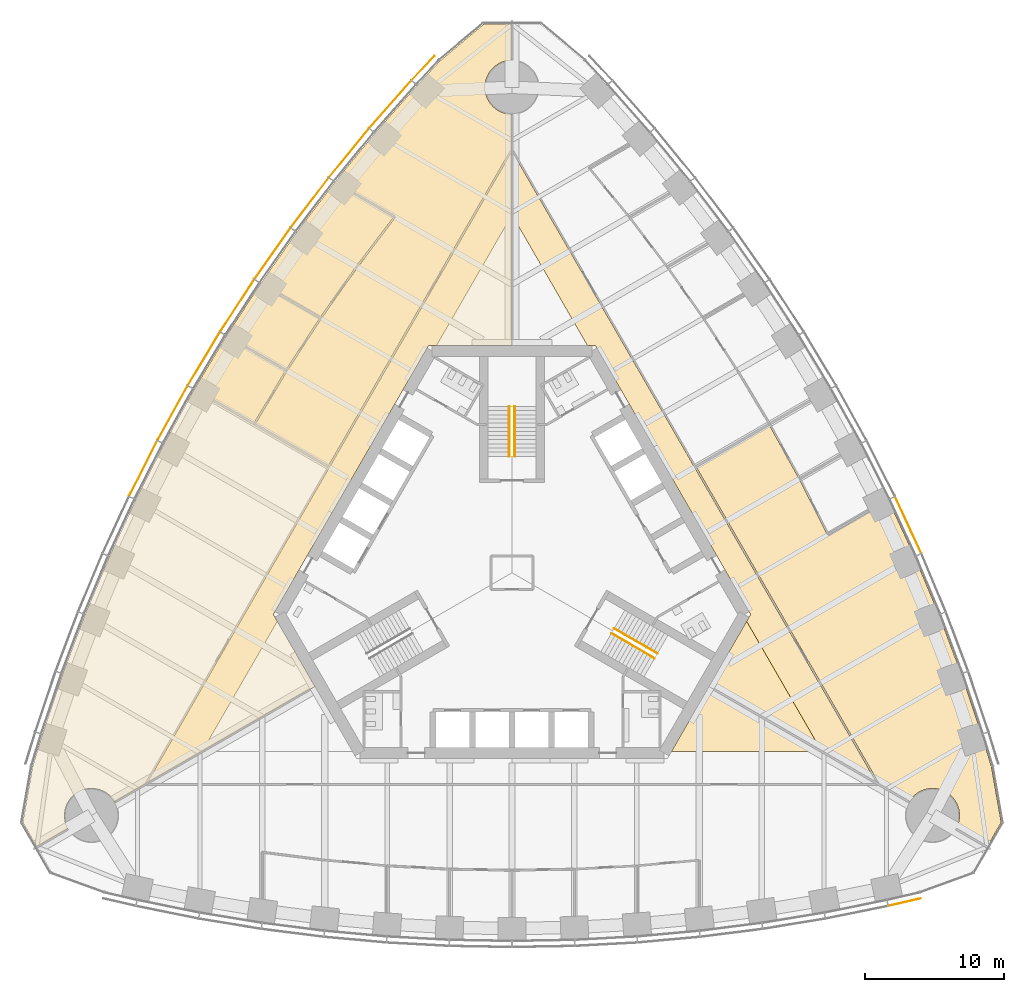
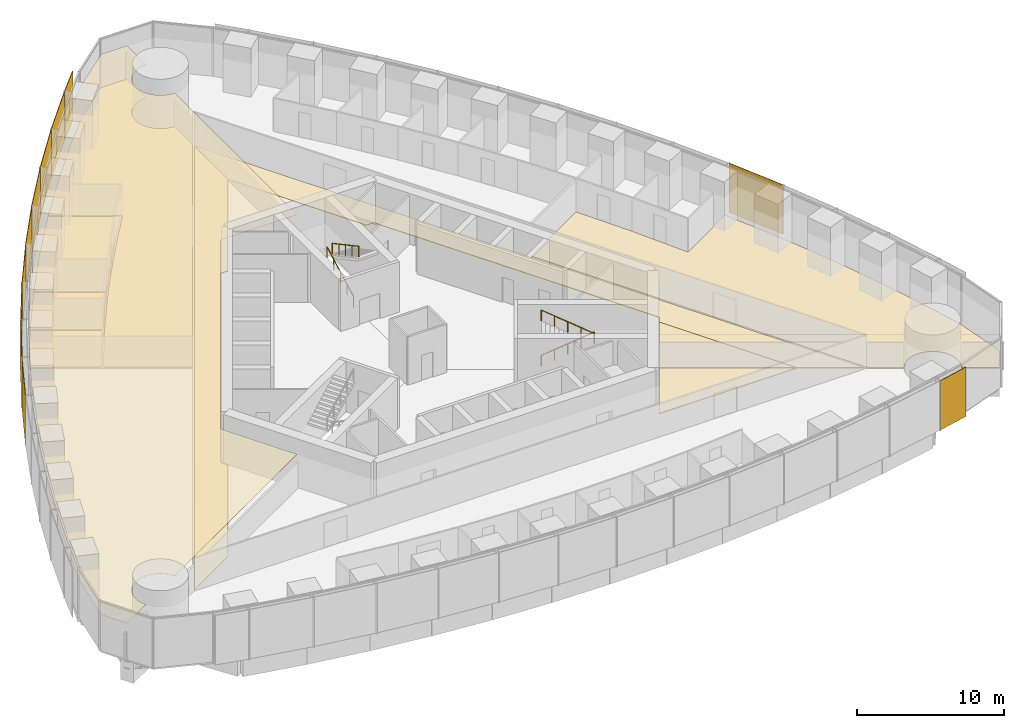
# One storey, part 16 of 19: 11 shading devices, 10 coverings, 4 railings.
"""IFC4 building model written with IfcOpenShell, lengths in metres."""

from ifc_helpers import new_model, si_unit, direction, frame, origin, origin_2d, place, context, subcontext, project, spatial, polyline, rectangle, circle, outline, extrude, material, layer, layer_set, type_object, element, save


model = new_model("IFC4")

# Units and contexts
model_context = context("Model", 3, precision=1e-05, world=origin(), true_north=direction((0.0, 1.0)))
body_context = subcontext(model_context, "Body", "Model", "MODEL_VIEW")
ifc_project = project(units=[si_unit("LENGTHUNIT", "METRE"), si_unit("AREAUNIT", "SQUARE_METRE"), si_unit("VOLUMEUNIT", "CUBIC_METRE"), si_unit("PLANEANGLEUNIT", "RADIAN"), si_unit("MASSUNIT", "GRAM", prefix="KILO")], contexts=[model_context])

# Site, building, storey
site_placement = place(None, origin())
site = spatial("IfcSite", under=ifc_project, at=site_placement, CompositionType="ELEMENT")
building_placement = place(site_placement, origin())
building = spatial("IfcBuilding", under=site, at=building_placement, Name="Trefoil Bronze Tower", CompositionType="ELEMENT")
storey_placement = place(building_placement, frame((0.0, 0.0, 166.10009765625)))
storey = spatial("IfcBuildingStorey", under=building, at=storey_placement, Name="L38", CompositionType="ELEMENT", Elevation=166.10009765625)

# Shading devices
ifc_material_1 = material(Name="Perforated bronze sheet", Category="bronze")
ifc_layer_1 = layer(ifc_material_1, 0.0400390625)
ifc_layer_set_1 = layer_set([ifc_layer_1], Name="Bronze solar screen panel")
shading_device_type = type_object("IfcShadingDeviceType", Name="Bronze solar screen panel", PredefinedType="SHUTTER", material=ifc_layer_set_1)
shading_device_1_placement = place(storey_placement, frame((28.30078125, -23.748779296875, 0.0498046875), z_axis=(0.0, 0.0, 1.0), x_axis=(0.97420444715, 0.225667222151, 0.0)))
element("IfcShadingDevice", 1, at=shading_device_1_placement, inside=storey, type_object=shading_device_type, Name="Solar screen CW-A L38 F1 bay 14", PredefinedType="SHUTTER", context=body_context, shape_type="SweptSolid", body=[
    extrude(rectangle(XDim=2.39013671875, YDim=0.0400390625, at=origin_2d()), origin(), (0.0, 0.0, 1.0), 4.10009765625),
])
shading_device_2_placement = place(storey_placement, frame((28.563720703125, 3.444580078125, 0.0498046875), z_axis=(0.0, 0.0, 1.0), x_axis=(-0.419932995871, 0.907555110712, 0.0)))
element("IfcShadingDevice", 2, at=shading_device_2_placement, inside=storey, type_object=shading_device_type, Name="Solar screen CW-A L38 F2 bay 5", PredefinedType="SHUTTER", context=body_context, shape_type="SweptSolid", body=[
    extrude(rectangle(XDim=4.48828125, YDim=0.0400390625, at=origin_2d()), origin(), (0.0, 0.0, 1.0), 4.10009765625),
])
shading_device_3_placement = place(storey_placement, frame((-6.416748046875, 36.383544921875, 0.0498046875), z_axis=(0.0, 0.0, 1.0), x_axis=(-0.682535770759, -0.730852188636, 0.0)))
element("IfcShadingDevice", 3, at=shading_device_3_placement, inside=storey, type_object=shading_device_type, Name="Solar screen CW-A L38 F3 bay 1", PredefinedType="SHUTTER", context=body_context, shape_type="SweptSolid", body=[
    extrude(rectangle(XDim=2.39013671875, YDim=0.0400390625, at=origin_2d()), origin(), (0.0, 0.0, 1.0), 4.10009765625),
])
shading_device_4_placement = place(storey_placement, frame((-8.77197265625, 33.766845703125, 0.0498046875), z_axis=(0.0, 0.0, 1.0), x_axis=(-0.661751405978, -0.749723333428, 0.0)))
element("IfcShadingDevice", 4, at=shading_device_4_placement, inside=storey, type_object=shading_device_type, Name="Solar screen CW-A L38 F3 bay 2", PredefinedType="SHUTTER", context=body_context, shape_type="SweptSolid", body=[
    extrude(rectangle(XDim=4.56103515625, YDim=0.0400390625, at=origin_2d()), origin(), (0.0, 0.0, 1.0), 4.10009765625),
])
shading_device_5_placement = place(storey_placement, frame((-11.7490234375, 30.26708984375, 0.0498046875), z_axis=(0.0, 0.0, 1.0), x_axis=(-0.633839916024, -0.773464259584, 0.0)))
element("IfcShadingDevice", 5, at=shading_device_5_placement, inside=storey, type_object=shading_device_type, Name="Solar screen CW-A L38 F3 bay 3", PredefinedType="SHUTTER", context=body_context, shape_type="SweptSolid", body=[
    extrude(rectangle(XDim=4.5302734375, YDim=0.0400390625, at=origin_2d()), origin(), (0.0, 0.0, 1.0), 4.10009765625),
])
shading_device_6_placement = place(storey_placement, frame((-14.579345703125, 26.6826171875, 0.0498046875), z_axis=(0.0, 0.0, 1.0), x_axis=(-0.605252319983, -0.796033685943, 0.0)))
element("IfcShadingDevice", 6, at=shading_device_6_placement, inside=storey, type_object=shading_device_type, Name="Solar screen CW-A L38 F3 bay 4", PredefinedType="SHUTTER", context=body_context, shape_type="SweptSolid", body=[
    extrude(rectangle(XDim=4.50634765625, YDim=0.0400390625, at=origin_2d()), origin(), (0.0, 0.0, 1.0), 4.10009765625),
])
shading_device_7_placement = place(storey_placement, frame((-17.264892578125, 23.014404296875, 0.0498046875), z_axis=(0.0, 0.0, 1.0), x_axis=(-0.575999283275, -0.817450197667, 0.0)))
element("IfcShadingDevice", 7, at=shading_device_7_placement, inside=storey, type_object=shading_device_type, Name="Solar screen CW-A L38 F3 bay 5", PredefinedType="SHUTTER", context=body_context, shape_type="SweptSolid", body=[
    extrude(rectangle(XDim=4.48828125, YDim=0.0400390625, at=origin_2d()), origin(), (0.0, 0.0, 1.0), 4.10009765625),
])
shading_device_8_placement = place(storey_placement, frame((-19.8076171875, 19.263916015625, 0.0498046875), z_axis=(0.0, 0.0, 1.0), x_axis=(-0.546088612237, -0.837727418427, 0.0)))
element("IfcShadingDevice", 8, at=shading_device_8_placement, inside=storey, type_object=shading_device_type, Name="Solar screen CW-A L38 F3 bay 6", PredefinedType="SHUTTER", context=body_context, shape_type="SweptSolid", body=[
    extrude(rectangle(XDim=4.4765625, YDim=0.0400390625, at=origin_2d()), origin(), (0.0, 0.0, 1.0), 4.10009765625),
])
for number, where, z_axis, x_axis, name in (
    (9, (-22.208740234375, 15.431396484375, 0.0498046875), (0.0, 0.0, 1.0), (-0.515525413486, -0.856874289526, 0.0), "Solar screen CW-A L38 F3 bay 7"),
    (10, (-24.468505859375, 11.517578125, 0.0498046875), (0.0, 0.0, 1.0), (-0.484312195836, -0.874895249138, 0.0), "Solar screen CW-A L38 F3 bay 8"),
):
    element("IfcShadingDevice", number, at=place(storey_placement, frame(where, z_axis=z_axis, x_axis=x_axis)), inside=storey, type_object=shading_device_type, Name=name, PredefinedType="SHUTTER", context=body_context, shape_type="SweptSolid", body=[
        extrude(rectangle(XDim=4.470703125, YDim=0.0400390625, at=origin_2d()), origin(), (0.0, 0.0, 1.0), 4.10009765625),
    ])
shading_device_9_placement = place(storey_placement, frame((-26.5869140625, 7.52197265625, 0.0498046875), z_axis=(0.0, 0.0, 1.0), x_axis=(-0.452448919686, -0.891790320128, 0.0)))
element("IfcShadingDevice", 11, at=shading_device_9_placement, inside=storey, type_object=shading_device_type, Name="Solar screen CW-A L38 F3 bay 9", PredefinedType="SHUTTER", context=body_context, shape_type="SweptSolid", body=[
    extrude(rectangle(XDim=4.4765625, YDim=0.0400390625, at=origin_2d()), origin(), (0.0, 0.0, 1.0), 4.10009765625),
])

# Railings
ifc_material_2 = material(Name="Steel handrail", Category="steel")
railing_type = type_object("IfcRailingType", Name="Handrail 900", PredefinedType="HANDRAIL", material=ifc_material_2)
railing_1_placement = place(storey_placement, frame((7.365966796875, -4.021728515625, 0.161376953125)))
element("IfcRailing", 12, at=railing_1_placement, inside=storey, type_object=railing_type, Name="Handrail ST1 flight 1 L38", PredefinedType="HANDRAIL", context=body_context, shape_type="SweptSolid", body=[
    extrude(circle(Radius=0.02392578125, at=origin_2d()), frame((0.0, 0.0, 0.8759765625), z_axis=(0.76250339821, -0.440245697338, 0.474101564745), x_axis=(0.500012057535, 0.866018442252, 0.0)), (0.0, 0.0, 1.0), 4.088623046875),
    extrude(circle(Radius=0.02099609375, at=origin_2d()), origin(), (0.0, 0.0, 1.0), 0.851806640625),
    extrude(circle(Radius=0.02099609375, at=origin_2d()), frame((0.779296875, -0.449951171875, 0.484619140625)), (0.0, 0.0, 1.0), 0.851806640625),
    extrude(circle(Radius=0.02099609375, at=origin_2d()), frame((1.558837890625, -0.89990234375, 0.96923828125)), (0.0, 0.0, 1.0), 0.851806640625),
    extrude(circle(Radius=0.02099609375, at=origin_2d()), frame((2.33837890625, -1.35009765625, 1.453857421875)), (0.0, 0.0, 1.0), 0.851806640625),
    extrude(circle(Radius=0.02099609375, at=origin_2d()), frame((3.11767578125, -1.800048828125, 1.9384765625)), (0.0, 0.0, 1.0), 0.851806640625),
])
railing_2_placement = place(storey_placement, frame((10.28369140625, -6.168212890625, 2.261474609375)))
element("IfcRailing", 13, at=railing_2_placement, inside=storey, type_object=railing_type, Name="Handrail ST1 flight 2 L38", PredefinedType="HANDRAIL", context=body_context, shape_type="SweptSolid", body=[
    extrude(circle(Radius=0.02392578125, at=origin_2d()), frame((0.0, 0.0, 0.8759765625), z_axis=(-0.76250339821, 0.440245697338, 0.474101564745), x_axis=(-0.500012057535, -0.866018442252, 0.0)), (0.0, 0.0, 1.0), 4.088623046875),
    extrude(circle(Radius=0.02099609375, at=origin_2d()), origin(), (0.0, 0.0, 1.0), 0.851806640625),
    extrude(circle(Radius=0.02099609375, at=origin_2d()), frame((-0.779296875, 0.449951171875, 0.484619140625)), (0.0, 0.0, 1.0), 0.851806640625),
    extrude(circle(Radius=0.02099609375, at=origin_2d()), frame((-1.558837890625, 0.89990234375, 0.96923828125)), (0.0, 0.0, 1.0), 0.851806640625),
    extrude(circle(Radius=0.02099609375, at=origin_2d()), frame((-2.33837890625, 1.35009765625, 1.453857421875)), (0.0, 0.0, 1.0), 0.851806640625),
    extrude(circle(Radius=0.02099609375, at=origin_2d()), frame((-3.11767578125, 1.800048828125, 1.9384765625)), (0.0, 0.0, 1.0), 0.851806640625),
])
railing_3_placement = place(storey_placement, frame((-0.199951171875, 8.389892578125, 0.161376953125)))
element("IfcRailing", 14, at=railing_3_placement, inside=storey, type_object=railing_type, Name="Handrail ST2 flight 1 L38", PredefinedType="HANDRAIL", context=body_context, shape_type="SweptSolid", body=[
    extrude(circle(Radius=0.02392578125, at=origin_2d()), frame((0.0, 0.0, 0.8759765625), z_axis=(0.0, 0.880474934443, 0.474092701714), x_axis=(-1.0, 0.0, 0.0)), (0.0, 0.0, 1.0), 4.0888671875),
    extrude(circle(Radius=0.02099609375, at=origin_2d()), origin(), (0.0, 0.0, 1.0), 0.851806640625),
    extrude(circle(Radius=0.02099609375, at=origin_2d()), frame((0.0, 0.89990234375, 0.484619140625)), (0.0, 0.0, 1.0), 0.851806640625),
    extrude(circle(Radius=0.02099609375, at=origin_2d()), frame((0.0, 1.800048828125, 0.96923828125)), (0.0, 0.0, 1.0), 0.851806640625),
    extrude(circle(Radius=0.02099609375, at=origin_2d()), frame((0.0, 2.7001953125, 1.453857421875)), (0.0, 0.0, 1.0), 0.851806640625),
    extrude(circle(Radius=0.02099609375, at=origin_2d()), frame((0.0, 3.60009765625, 1.9384765625)), (0.0, 0.0, 1.0), 0.851806640625),
])
railing_4_placement = place(storey_placement, frame((0.199951171875, 11.989990234375, 2.261474609375)))
element("IfcRailing", 15, at=railing_4_placement, inside=storey, type_object=railing_type, Name="Handrail ST2 flight 2 L38", PredefinedType="HANDRAIL", context=body_context, shape_type="SweptSolid", body=[
    extrude(circle(Radius=0.02392578125, at=origin_2d()), frame((0.0, 0.0, 0.8759765625), z_axis=(0.0, -0.880474934443, 0.474092701714), x_axis=(1.0, 0.0, 0.0)), (0.0, 0.0, 1.0), 4.0888671875),
    extrude(circle(Radius=0.02099609375, at=origin_2d()), origin(), (0.0, 0.0, 1.0), 0.851806640625),
    extrude(circle(Radius=0.02099609375, at=origin_2d()), frame((0.0, -0.89990234375, 0.484619140625)), (0.0, 0.0, 1.0), 0.851806640625),
    extrude(circle(Radius=0.02099609375, at=origin_2d()), frame((0.0, -1.800048828125, 0.96923828125)), (0.0, 0.0, 1.0), 0.851806640625),
    extrude(circle(Radius=0.02099609375, at=origin_2d()), frame((0.0, -2.7001953125, 1.453857421875)), (0.0, 0.0, 1.0), 0.851806640625),
    extrude(circle(Radius=0.02099609375, at=origin_2d()), frame((0.0, -3.60009765625, 1.9384765625)), (0.0, 0.0, 1.0), 0.851806640625),
])

# Coverings
ifc_material_3 = material(Name="Acoustic ceiling panels", Category="mineral fibre")
ifc_layer_2 = layer(ifc_material_3, 0.02001953125)
ifc_layer_set_2 = layer_set([ifc_layer_2], Name="Office ceiling 20")
covering_type_1 = type_object("IfcCoveringType", Name="Office ceiling 20", PredefinedType="CEILING", material=ifc_layer_set_2)
covering_1_placement = place(storey_placement, frame((0.0, 0.0, 2.89990234375)))
element("IfcCovering", 16, at=covering_1_placement, inside=storey, type_object=covering_type_1, Name="Ceiling L38 Open-plan office F3", PredefinedType="CEILING", context=body_context, shape_type="SweptSolid", body=[
    extrude(outline(polyline([(-33.847900390625, -11.634765625), (-32.385986328125, -7.28271484375), (-30.776611328125, -3.015625), (-29.022216796875, 1.16748046875), (-27.124755859375, 5.268310546875), (-25.085693359375, 9.287109375), (-22.906005859375, 13.224853515625), (-20.585693359375, 17.081298828125), (-18.124755859375, 20.856689453125), (-15.522216796875, 24.55029296875), (-12.776611328125, 28.1611328125), (-9.885986328125, 31.6884765625), (-6.847900390625, 35.130615234375), (-5.1962890625, 36.8994140625), (-2.052001953125, 39.53759765625), (-0.014892578125, 39.53759765625), (-0.013916015625, 36.94970703125), (-0.095703125, 36.94775390625), (-0.191162109375, 36.940673828125), (-0.2861328125, 36.928955078125), (-0.38037109375, 36.91259765625), (-0.473876953125, 36.8916015625), (-0.566162109375, 36.865966796875), (-0.656982421875, 36.8359375), (-0.74609375, 36.801513671875), (-0.833740234375, 36.7626953125), (-0.919189453125, 36.7197265625), (-1.00244140625, 36.672607421875), (-1.08349609375, 36.621337890625), (-1.16162109375, 36.56640625), (-1.237060546875, 36.50732421875), (-1.3095703125, 36.44482421875), (-1.37890625, 36.37890625), (-1.44482421875, 36.3095703125), (-1.50732421875, 36.237060546875), (-1.56640625, 36.16162109375), (-1.621337890625, 36.08349609375), (-1.672607421875, 36.00244140625), (-1.7197265625, 35.919189453125), (-1.7626953125, 35.833740234375), (-1.801513671875, 35.74609375), (-1.8359375, 35.656982421875), (-1.865966796875, 35.566162109375), (-1.8916015625, 35.473876953125), (-1.91259765625, 35.38037109375), (-1.928955078125, 35.2861328125), (-1.940673828125, 35.191162109375), (-1.94775390625, 35.095703125), (-1.949951171875, 35.0), (-1.94775390625, 34.904296875), (-1.940673828125, 34.808837890625), (-1.928955078125, 34.7138671875), (-1.91259765625, 34.61962890625), (-1.8916015625, 34.526123046875), (-1.865966796875, 34.433837890625), (-1.8359375, 34.343017578125), (-1.801513671875, 34.25390625), (-1.7626953125, 34.166259765625), (-1.7197265625, 34.080810546875), (-1.672607421875, 33.99755859375), (-1.621337890625, 33.91650390625), (-1.56640625, 33.83837890625), (-1.50732421875, 33.762939453125), (-1.44482421875, 33.6904296875), (-1.37890625, 33.62109375), (-1.3095703125, 33.55517578125), (-1.237060546875, 33.49267578125), (-1.16162109375, 33.43359375), (-1.08349609375, 33.378662109375), (-1.00244140625, 33.327392578125), (-0.919189453125, 33.2802734375), (-0.833740234375, 33.2373046875), (-0.74609375, 33.198486328125), (-0.656982421875, 33.1640625), (-0.566162109375, 33.134033203125), (-0.473876953125, 33.1083984375), (-0.38037109375, 33.08740234375), (-0.2861328125, 33.071044921875), (-0.191162109375, 33.059326171875), (-0.095703125, 33.05224609375), (-0.012451171875, 33.05029296875), (-0.006103515625, 16.39990234375), (-6.00439453125, 16.39990234375), (-17.205078125, -3.0), (-14.205810546875, -8.194580078125), (-28.628662109375, -16.514404296875), (-28.689453125, -16.41650390625), (-28.74462890625, -16.33837890625), (-28.803466796875, -16.262939453125), (-28.865966796875, -16.1904296875), (-28.931884765625, -16.12109375), (-29.001220703125, -16.05517578125), (-29.07373046875, -15.99267578125), (-29.1494140625, -15.93359375), (-29.2275390625, -15.878662109375), (-29.308349609375, -15.827392578125), (-29.3916015625, -15.7802734375), (-29.477294921875, -15.7373046875), (-29.564697265625, -15.698486328125), (-29.654052734375, -15.6640625), (-29.744873046875, -15.634033203125), (-29.837158203125, -15.6083984375), (-29.930419921875, -15.58740234375), (-30.02490234375, -15.571044921875), (-30.119873046875, -15.559326171875), (-30.215087890625, -15.55224609375), (-30.310791015625, -15.550048828125), (-30.406494140625, -15.55224609375), (-30.501953125, -15.559326171875), (-30.596923828125, -15.571044921875), (-30.69140625, -15.58740234375), (-30.78466796875, -15.6083984375), (-30.876953125, -15.634033203125), (-30.9677734375, -15.6640625), (-31.05712890625, -15.698486328125), (-31.14453125, -15.7373046875), (-31.22998046875, -15.7802734375), (-31.3134765625, -15.827392578125), (-31.394287109375, -15.878662109375), (-31.472412109375, -15.93359375), (-31.548095703125, -15.99267578125), (-31.620361328125, -16.05517578125), (-31.689697265625, -16.12109375), (-31.755615234375, -16.1904296875), (-31.818359375, -16.262939453125), (-31.877197265625, -16.33837890625), (-31.932373046875, -16.41650390625), (-31.9833984375, -16.49755859375), (-32.030517578125, -16.580810546875), (-32.07373046875, -16.666259765625), (-32.112548828125, -16.75390625), (-32.14697265625, -16.843017578125), (-32.177001953125, -16.933837890625), (-32.202392578125, -17.026123046875), (-32.223388671875, -17.11962890625), (-32.23974609375, -17.2138671875), (-32.25146484375, -17.308837890625), (-32.258544921875, -17.404296875), (-32.260986328125, -17.5), (-32.258544921875, -17.595703125), (-32.25146484375, -17.691162109375), (-32.23974609375, -17.7861328125), (-32.223388671875, -17.88037109375), (-32.202392578125, -17.973876953125), (-32.177001953125, -18.066162109375), (-32.14697265625, -18.156982421875), (-32.112548828125, -18.24609375), (-32.07373046875, -18.333740234375), (-32.030517578125, -18.419189453125), (-32.006103515625, -18.462646484375), (-34.247802734375, -19.755859375), (-35.2666015625, -17.99169921875), (-34.5537109375, -13.94970703125), (-33.847900390625, -11.634765625)])), origin(), (0.0, 0.0, 1.0), 0.02001953125),
])
ifc_material_4 = material(Name="Raised access floor panels", Category="steel")
ifc_layer_3 = layer(ifc_material_4, 0.050048828125)
ifc_layer_set_3 = layer_set([ifc_layer_3], Name="Raised access floor 150")
covering_type_2 = type_object("IfcCoveringType", Name="Raised access floor 150", PredefinedType="FLOORING", material=ifc_layer_set_3)
covering_2_placement = place(storey_placement, frame((0.0, 0.0, 0.099853515625)))
element("IfcCovering", 17, at=covering_2_placement, inside=storey, type_object=covering_type_2, Name="Raised floor L38 Open-plan office F1", PredefinedType="FLOORING", context=body_context, shape_type="SweptSolid", body=[
    extrude(outline(polyline([(14.19970703125, -8.205322265625), (22.32421875, -12.89990234375), (11.4892578125, -12.89990234375), (14.19970703125, -8.205322265625)])), origin(), (0.0, 0.0, 1.0), 0.050048828125),
])
covering_3_placement = place(storey_placement, frame((0.0, 0.0, 0.099853515625)))
element("IfcCovering", 18, at=covering_3_placement, inside=storey, type_object=covering_type_2, Name="Raised floor L38 Corridor F2", PredefinedType="FLOORING", context=body_context, shape_type="SweptSolid", body=[
    extrude(outline(polyline([(26.31591796875, -15.180419921875), (22.333740234375, -12.88330078125), (16.91650390625, -3.5), (17.205078125, -3.0), (6.00439453125, 16.39990234375), (5.427001953125, 16.39990234375), (0.009765625, 25.783203125), (0.011474609375, 30.38037109375), (26.31591796875, -15.180419921875)])), origin(), (0.0, 0.0, 1.0), 0.050048828125),
])
covering_4_placement = place(storey_placement, frame((0.0, 0.0, 0.099853515625)))
element("IfcCovering", 19, at=covering_4_placement, inside=storey, type_object=covering_type_2, Name="Raised floor L38 Open-plan office F2", PredefinedType="FLOORING", context=body_context, shape_type="SweptSolid", body=[
    extrude(outline(polyline([(14.205810546875, -8.194580078125), (16.91650390625, -3.5), (22.333740234375, -12.88330078125), (14.205810546875, -8.194580078125)])), origin(), (0.0, 0.0, 1.0), 0.050048828125),
])
covering_5_placement = place(storey_placement, frame((0.0, 0.0, 0.099853515625)))
element("IfcCovering", 20, at=covering_5_placement, inside=storey, type_object=covering_type_2, Name="Raised floor L38 Open-plan office F2", PredefinedType="FLOORING", context=body_context, shape_type="SweptSolid", body=[
    extrude(outline(polyline([(26.40966796875, -15.234375), (26.466552734375, -15.201416015625), (13.304931640625, 7.594970703125), (18.560302734375, 10.629150390625), (20.70263671875, 6.759033203125), (22.7412109375, 2.7412109375), (22.794677734375, 2.768310546875), (22.82470703125, 2.71630859375), (25.739501953125, 4.399169921875), (25.709716796875, 4.451171875), (27.124755859375, 5.268310546875), (29.022216796875, 1.16748046875), (30.776611328125, -3.015625), (32.385986328125, -7.28271484375), (33.847900390625, -11.634765625), (34.5537109375, -13.94970703125), (35.2666015625, -17.99169921875), (34.247802734375, -19.755859375), (32.006103515625, -18.462646484375), (32.030517578125, -18.419189453125), (32.07373046875, -18.333740234375), (32.112548828125, -18.24609375), (32.14697265625, -18.156982421875), (32.177001953125, -18.066162109375), (32.202392578125, -17.973876953125), (32.223388671875, -17.88037109375), (32.23974609375, -17.7861328125), (32.25146484375, -17.691162109375), (32.258544921875, -17.595703125), (32.260986328125, -17.5), (32.258544921875, -17.404296875), (32.25146484375, -17.308837890625), (32.23974609375, -17.2138671875), (32.223388671875, -17.11962890625), (32.202392578125, -17.026123046875), (32.177001953125, -16.933837890625), (32.14697265625, -16.843017578125), (32.112548828125, -16.75390625), (32.07373046875, -16.666259765625), (32.030517578125, -16.580810546875), (31.9833984375, -16.49755859375), (31.932373046875, -16.41650390625), (31.877197265625, -16.33837890625), (31.818359375, -16.262939453125), (31.755615234375, -16.1904296875), (31.689697265625, -16.12109375), (31.620361328125, -16.05517578125), (31.548095703125, -15.99267578125), (31.472412109375, -15.93359375), (31.394287109375, -15.878662109375), (31.3134765625, -15.827392578125), (31.22998046875, -15.7802734375), (31.14453125, -15.7373046875), (31.05712890625, -15.698486328125), (30.9677734375, -15.6640625), (30.876953125, -15.634033203125), (30.78466796875, -15.6083984375), (30.69140625, -15.58740234375), (30.596923828125, -15.571044921875), (30.501953125, -15.559326171875), (30.406494140625, -15.55224609375), (30.310791015625, -15.550048828125), (30.215087890625, -15.55224609375), (30.119873046875, -15.559326171875), (30.02490234375, -15.571044921875), (29.930419921875, -15.58740234375), (29.837158203125, -15.6083984375), (29.744873046875, -15.634033203125), (29.654052734375, -15.6640625), (29.564697265625, -15.698486328125), (29.477294921875, -15.7373046875), (29.3916015625, -15.7802734375), (29.308349609375, -15.827392578125), (29.2275390625, -15.878662109375), (29.1494140625, -15.93359375), (29.07373046875, -15.99267578125), (29.001220703125, -16.05517578125), (28.931884765625, -16.12109375), (28.865966796875, -16.1904296875), (28.803466796875, -16.262939453125), (28.74462890625, -16.33837890625), (28.689453125, -16.41650390625), (28.628662109375, -16.514404296875), (26.40966796875, -15.234375)])), origin(), (0.0, 0.0, 1.0), 0.050048828125),
])
covering_6_placement = place(storey_placement, frame((0.0, 0.0, 0.099853515625)))
element("IfcCovering", 21, at=covering_6_placement, inside=storey, type_object=covering_type_2, Name="Raised floor L38 Library F3", PredefinedType="FLOORING", context=body_context, shape_type="SweptSolid", body=[
    extrude(outline(polyline([(-15.522216796875, 24.55029296875), (-12.776611328125, 28.1611328125), (-11.350341796875, 27.337646484375), (-11.38037109375, 27.28564453125), (-8.53564453125, 25.643310546875), (-11.239990234375, 22.086669921875), (-11.192138671875, 22.05029296875), (-11.2412109375, 22.084716796875), (-13.812255859375, 18.43603515625), (-16.6796875, 20.091552734375), (-16.709716796875, 20.03955078125), (-18.124755859375, 20.856689453125), (-15.522216796875, 24.55029296875)])), origin(), (0.0, 0.0, 1.0), 0.050048828125),
])
covering_7_placement = place(storey_placement, frame((0.0, 0.0, 0.099853515625)))
element("IfcCovering", 22, at=covering_7_placement, inside=storey, type_object=covering_type_2, Name="Raised floor L38 Meeting room F3", PredefinedType="FLOORING", context=body_context, shape_type="SweptSolid", body=[
    extrude(outline(polyline([(-18.124755859375, 20.856689453125), (-16.709716796875, 20.03955078125), (-16.739501953125, 19.987548828125), (-13.879638671875, 18.33642578125), (-16.27490234375, 14.661865234375), (-19.143310546875, 16.31787109375), (-19.17333984375, 16.265869140625), (-20.585693359375, 17.081298828125), (-18.124755859375, 20.856689453125)])), origin(), (0.0, 0.0, 1.0), 0.050048828125),
])
covering_8_placement = place(storey_placement, frame((0.0, 0.0, 0.099853515625)))
element("IfcCovering", 23, at=covering_8_placement, inside=storey, type_object=covering_type_2, Name="Raised floor L38 Meeting room F3", PredefinedType="FLOORING", context=body_context, shape_type="SweptSolid", body=[
    extrude(outline(polyline([(-22.906005859375, 13.224853515625), (-20.585693359375, 17.081298828125), (-19.17333984375, 16.265869140625), (-19.203369140625, 16.2138671875), (-16.338623046875, 14.56005859375), (-18.58935546875, 10.819091796875), (-21.45703125, 12.474853515625), (-21.494384765625, 12.409912109375), (-22.906005859375, 13.224853515625)])), origin(), (0.0, 0.0, 1.0), 0.050048828125),
])
covering_9_placement = place(storey_placement, frame((0.0, 0.0, 0.099853515625)))
element("IfcCovering", 24, at=covering_9_placement, inside=storey, type_object=covering_type_2, Name="Raised floor L38 Corridor F3", PredefinedType="FLOORING", context=body_context, shape_type="SweptSolid", body=[
    extrude(outline(polyline([(-0.011474609375, 30.38037109375), (-0.009765625, 25.783203125), (-5.427001953125, 16.39990234375), (-6.00439453125, 16.39990234375), (-17.205078125, -3.0), (-16.91650390625, -3.5), (-22.333740234375, -12.88330078125), (-26.31591796875, -15.180419921875), (-0.011474609375, 30.38037109375)])), origin(), (0.0, 0.0, 1.0), 0.050048828125),
])
covering_10_placement = place(storey_placement, frame((0.0, 0.0, 0.099853515625)))
element("IfcCovering", 25, at=covering_10_placement, inside=storey, type_object=covering_type_2, Name="Raised floor L38 Open-plan office F3", PredefinedType="FLOORING", context=body_context, shape_type="SweptSolid", body=[
    extrude(outline(polyline([(-0.011474609375, 30.488525390625), (-0.068359375, 30.521484375), (-13.22998046875, 7.72509765625), (-18.4853515625, 10.759033203125), (-16.204833984375, 14.549560546875), (-13.7451171875, 18.322998046875), (-11.84326171875, 21.02197265625), (-10.40576171875, 22.9853515625), (-8.398681640625, 25.625), (-8.446533203125, 25.6611328125), (-8.41650390625, 25.713134765625), (-11.3203125, 27.3896484375), (-11.350341796875, 27.337646484375), (-12.776611328125, 28.1611328125), (-9.885986328125, 31.6884765625), (-6.847900390625, 35.130615234375), (-5.1962890625, 36.8994140625), (-2.052001953125, 39.53759765625), (-0.014892578125, 39.53759765625), (-0.013916015625, 36.94970703125), (-0.095703125, 36.94775390625), (-0.191162109375, 36.940673828125), (-0.2861328125, 36.928955078125), (-0.38037109375, 36.91259765625), (-0.473876953125, 36.8916015625), (-0.566162109375, 36.865966796875), (-0.656982421875, 36.8359375), (-0.74609375, 36.801513671875), (-0.833740234375, 36.7626953125), (-0.919189453125, 36.7197265625), (-1.00244140625, 36.672607421875), (-1.08349609375, 36.621337890625), (-1.16162109375, 36.56640625), (-1.237060546875, 36.50732421875), (-1.3095703125, 36.44482421875), (-1.37890625, 36.37890625), (-1.44482421875, 36.3095703125), (-1.50732421875, 36.237060546875), (-1.56640625, 36.16162109375), (-1.621337890625, 36.08349609375), (-1.672607421875, 36.00244140625), (-1.7197265625, 35.919189453125), (-1.7626953125, 35.833740234375), (-1.801513671875, 35.74609375), (-1.8359375, 35.656982421875), (-1.865966796875, 35.566162109375), (-1.8916015625, 35.473876953125), (-1.91259765625, 35.38037109375), (-1.928955078125, 35.2861328125), (-1.940673828125, 35.191162109375), (-1.94775390625, 35.095703125), (-1.949951171875, 35.0), (-1.94775390625, 34.904296875), (-1.940673828125, 34.808837890625), (-1.928955078125, 34.7138671875), (-1.91259765625, 34.61962890625), (-1.8916015625, 34.526123046875), (-1.865966796875, 34.433837890625), (-1.8359375, 34.343017578125), (-1.801513671875, 34.25390625), (-1.7626953125, 34.166259765625), (-1.7197265625, 34.080810546875), (-1.672607421875, 33.99755859375), (-1.621337890625, 33.91650390625), (-1.56640625, 33.83837890625), (-1.50732421875, 33.762939453125), (-1.44482421875, 33.6904296875), (-1.37890625, 33.62109375), (-1.3095703125, 33.55517578125), (-1.237060546875, 33.49267578125), (-1.16162109375, 33.43359375), (-1.08349609375, 33.378662109375), (-1.00244140625, 33.327392578125), (-0.919189453125, 33.2802734375), (-0.833740234375, 33.2373046875), (-0.74609375, 33.198486328125), (-0.656982421875, 33.1640625), (-0.566162109375, 33.134033203125), (-0.473876953125, 33.1083984375), (-0.38037109375, 33.08740234375), (-0.2861328125, 33.071044921875), (-0.191162109375, 33.059326171875), (-0.095703125, 33.05224609375), (-0.012451171875, 33.05029296875), (-0.011474609375, 30.488525390625)])), origin(), (0.0, 0.0, 1.0), 0.050048828125),
])

save(model, "model.ifc")
